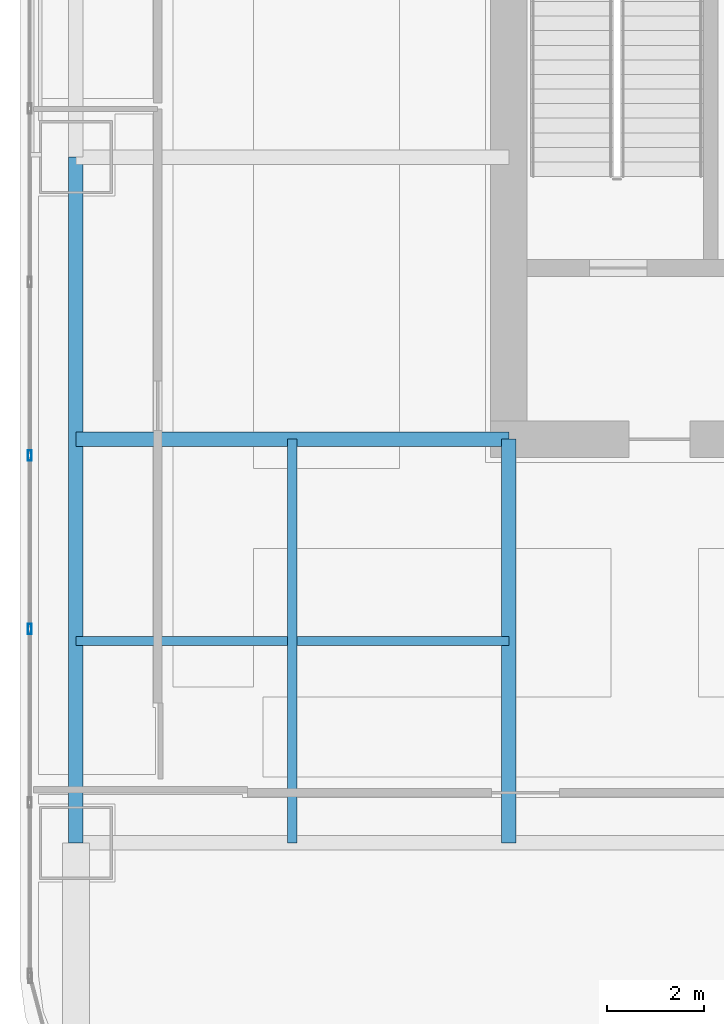
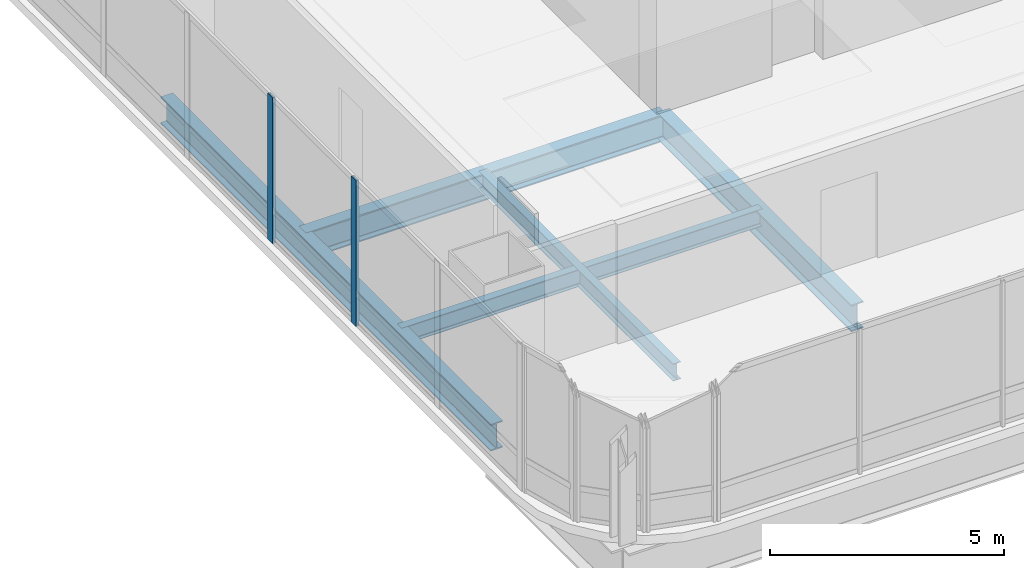
# One storey, part 3 of 35: 5 beams, 2 members, 1 element without a shape of its own.
"""IFC4 building model written with IfcOpenShell, lengths in metres."""

import ifcopenshell
import ifcopenshell.guid

model = None  # the IFC model being written
_history = None  # IfcOwnerHistory: only IFC2X3 demands one
_inside = {}  # id of a spatial element -> (the spatial element, [elements in it])
_under = {}  # id of a project, library or spatial element -> (it, [spatial elements below it])
_declared = {}  # id of a project -> (the project, [libraries it declares])
_typed = {}  # id of a type object -> (the type object, [elements of that type])
_made_of = {}  # id of a material, layer set ... -> (it, [elements and type objects made of it])


def new_model(schema):
    """Start an empty IFC model of exactly this schema.

    Asked for "IFC4X3", IfcOpenShell would pick the latest addendum, in which some entities
    have other attributes; the version numbers below select the first issue.
    IFC2X3 requires an IfcOwnerHistory on every rooted entity: one is made here for all.
    """
    global model, _history
    if schema == "IFC4X3":
        model = ifcopenshell.file(schema_version=(4, 3, 0, 0))
    else:
        model = ifcopenshell.file(schema=schema)
    _inside.clear()
    _under.clear()
    _declared.clear()
    _typed.clear()
    _made_of.clear()
    _history = None
    if model.schema == "IFC2X3":
        org = make("IfcOrganization", Name="unknown")
        user = make(
            "IfcPersonAndOrganization",
            ThePerson=make("IfcPerson", FamilyName="unknown"),
            TheOrganization=org,
        )
        app = make(
            "IfcApplication",
            ApplicationDeveloper=org,
            Version="unknown",
            ApplicationFullName="unknown",
            ApplicationIdentifier="unknown",
        )
        _history = make(
            "IfcOwnerHistory",
            OwningUser=user,
            OwningApplication=app,
            ChangeAction="ADDED",
            CreationDate=0,
        )
    return model


def make(cls, **values):
    """One entity of the class cls with the attributes given. An attribute that is None is left unset."""
    return model.create_entity(
        cls, **{name: value for name, value in values.items() if value is not None}
    )


def rooted(cls, **values):
    """An entity with a GlobalId (a new one), such as an element, a storey or a relation."""
    return make(cls, GlobalId=ifcopenshell.guid.new(), OwnerHistory=_history, **values)


def si_unit(unit_type, name, prefix=None):
    """IfcSIUnit, for example si_unit("LENGTHUNIT", "METRE", prefix="MILLI")."""
    return make("IfcSIUnit", UnitType=unit_type, Prefix=prefix, Name=name)


def assignment(units):
    """IfcUnitAssignment: the units of a project."""
    return None if units is None else make("IfcUnitAssignment", Units=units)


def point(xyz):
    """IfcCartesianPoint."""
    return None if xyz is None else make("IfcCartesianPoint", Coordinates=xyz)


def direction(xyz):
    """IfcDirection."""
    return None if xyz is None else make("IfcDirection", DirectionRatios=xyz)


def frame(location, z_axis=None, x_axis=None):
    """IfcAxis2Placement3D, a coordinate frame: its origin and axes. An axis left out is left unset."""
    return make(
        "IfcAxis2Placement3D",
        Location=point(location),
        Axis=direction(z_axis),
        RefDirection=direction(x_axis),
    )


def frame_2d(location, x_axis=None):
    """IfcAxis2Placement2D, a coordinate frame in the plane: its origin and x axis."""
    return make(
        "IfcAxis2Placement2D", Location=point(location), RefDirection=direction(x_axis)
    )


def origin():
    """The frame at (0, 0, 0) with its axes left unset."""
    return frame((0.0, 0.0, 0.0))


def origin_2d():
    """The frame at (0, 0) in the plane with its x axis left unset."""
    return frame_2d((0.0, 0.0))


def place(relative_to, where):
    """IfcLocalPlacement: puts the frame where relative to a parent placement (None: the world)."""
    return make(
        "IfcLocalPlacement", PlacementRelTo=relative_to, RelativePlacement=where
    )


def context(
    kind, dimensions, precision=None, world=None, true_north=None, identifier=None
):
    """IfcGeometricRepresentationContext, for example the 3D "Model" context."""
    return make(
        "IfcGeometricRepresentationContext",
        ContextIdentifier=identifier,
        ContextType=kind,
        CoordinateSpaceDimension=dimensions,
        Precision=precision,
        WorldCoordinateSystem=world,
        TrueNorth=true_north,
    )


def subcontext(parent, identifier, kind, view, scale=None):
    """IfcGeometricRepresentationSubContext, for example "Body" below "Model"."""
    return make(
        "IfcGeometricRepresentationSubContext",
        ContextIdentifier=identifier,
        ContextType=kind,
        ParentContext=parent,
        TargetScale=scale,
        TargetView=view,
    )


def project(units=None, contexts=None):
    """IfcProject with its units and contexts."""
    return rooted(
        "IfcProject",
        Name="project",
        RepresentationContexts=contexts,
        UnitsInContext=assignment(units),
    )


def spatial(cls, under=None, at=None, **own):
    """A site, building, storey or space (cls), placed at a placement, below another one or the project."""
    s = rooted(cls, ObjectPlacement=at, **own)
    if under is not None:
        _under.setdefault(under.id(), (under, []))[1].append(s)
    return s


def profile(cls, at=None, kind="AREA", **sizes):
    """A parametric profile (cls). Its sizes go by their IFC names, for example OverallWidth=200.0."""
    return make(cls, ProfileType=kind, Position=at, **sizes)


def hollow_rectangle(**sizes):
    """IfcRectangleHollowProfileDef."""
    return profile("IfcRectangleHollowProfileDef", **sizes)


def i_section(**sizes):
    """IfcIShapeProfileDef."""
    return profile("IfcIShapeProfileDef", **sizes)


def extrude(swept, where, along, depth):
    """IfcExtrudedAreaSolid: the profile swept, set in the frame where, extruded along a direction by depth."""
    return make(
        "IfcExtrudedAreaSolid",
        SweptArea=swept,
        Position=where,
        ExtrudedDirection=direction(along),
        Depth=depth,
    )


def shape(context_of_items, identifier, shape_type, items):
    """IfcShapeRepresentation: the items that make up one representation, for example the "Body"."""
    return make(
        "IfcShapeRepresentation",
        ContextOfItems=context_of_items,
        RepresentationIdentifier=identifier,
        RepresentationType=shape_type,
        Items=items,
    )


def material(Name=None, Category=None):
    """IfcMaterial."""
    return make("IfcMaterial", Name=Name, Category=Category)


def material_profile(
    of_material, cross_section, Name=None, Category=None, Priority=None
):
    """IfcMaterialProfile: a cross section and its material."""
    return make(
        "IfcMaterialProfile",
        Name=Name,
        Material=of_material,
        Profile=cross_section,
        Priority=Priority,
        Category=Category,
    )


def profile_set(profiles, Name=None, composite=None):
    """IfcMaterialProfileSet."""
    return make(
        "IfcMaterialProfileSet",
        Name=Name,
        MaterialProfiles=profiles,
        CompositeProfile=composite,
    )


def made_of(thing, what):
    """Note that an element or type object is made of a material, layer set ...; save() writes the relation."""
    if what is not None:
        _made_of.setdefault(what.id(), (what, []))[1].append(thing)
    return thing


def type_object(cls, material=None, **own):
    """A type object (cls), such as IfcWallType, which elements share."""
    return made_of(rooted(cls, **own), material)


def element(
    cls,
    number,
    at=None,
    inside=None,
    cuts=None,
    type_object=None,
    material=None,
    context=None,
    identifier="Body",
    shape_type=None,
    held_by="IfcProductDefinitionShape",
    body=None,
    shapes=None,
    **own,
):
    """One element of the class cls, such as IfcWall. Its Tag is "e" and its number.

    at: its placement. inside: the storey or other place that contains it. cuts: it is an
    opening in that element (IfcRelVoidsElement). A single representation is given by context,
    identifier, shape_type and body (its items); several are given by shapes. held_by: the class
    of the entity that holds the representations. save() writes the other relations.
    """
    e = rooted(cls, Tag="e%d" % number, ObjectPlacement=at, **own)
    if body is not None:
        shapes = [shape(context, identifier, shape_type, body)]
    if shapes is not None:
        e.Representation = make(held_by, Representations=shapes)
    if inside is not None:
        _inside.setdefault(inside.id(), (inside, []))[1].append(e)
    if cuts is not None:
        rooted(
            "IfcRelVoidsElement", RelatingBuildingElement=cuts, RelatedOpeningElement=e
        )
    if type_object is not None:
        _typed.setdefault(type_object.id(), (type_object, []))[1].append(e)
    return made_of(e, material)


def aggregate(whole, parts):
    """IfcRelAggregates: a whole, such as a stair, and the parts it consists of."""
    return rooted("IfcRelAggregates", RelatingObject=whole, RelatedObjects=parts)


def save(model, path):
    """Write the relations noted so far, then the file.

    IfcRelAggregates (storeys below a building ...), IfcRelContainedInSpatialStructure (elements
    in a storey), IfcRelDefinesByType, IfcRelAssociatesMaterial and IfcRelDeclares: one each for
    every whole, place, type object, material and project.
    """
    for whole, parts in _under.values():
        aggregate(whole, parts)
    for where, things in _inside.values():
        rooted(
            "IfcRelContainedInSpatialStructure",
            RelatedElements=things,
            RelatingStructure=where,
        )
    for kind, things in _typed.values():
        rooted("IfcRelDefinesByType", RelatedObjects=things, RelatingType=kind)
    for what, things in _made_of.values():
        rooted("IfcRelAssociatesMaterial", RelatedObjects=things, RelatingMaterial=what)
    for by, libraries in _declared.values():
        rooted("IfcRelDeclares", RelatingContext=by, RelatedDefinitions=libraries)
    model.write(path)


model = new_model("IFC4")

# Units and contexts
model_context = context("Model", 3, precision=1e-05, world=origin(), true_north=direction((0.0, 1.0)))
body_context = subcontext(model_context, "Body", "Model", "MODEL_VIEW")
ifc_project = project(units=[si_unit("LENGTHUNIT", "METRE"), si_unit("AREAUNIT", "SQUARE_METRE"), si_unit("VOLUMEUNIT", "CUBIC_METRE"), si_unit("PLANEANGLEUNIT", "RADIAN"), si_unit("MASSUNIT", "GRAM", prefix="KILO")], contexts=[model_context])

# Site, building, storey
site_placement = place(None, origin())
site = spatial("IfcSite", under=ifc_project, at=site_placement, CompositionType="ELEMENT")
building_placement = place(site_placement, origin())
building = spatial("IfcBuilding", under=site, at=building_placement, Name="Punatoya Terracotta Tower", CompositionType="ELEMENT")
storey_placement = place(building_placement, frame((0.0, 0.0, 72.75)))
storey = spatial("IfcBuildingStorey", under=building, at=storey_placement, Name="L16", CompositionType="ELEMENT", Elevation=72.75)

# Beams
ifc_material_1 = material(Name="Steel S355", Category="steel")
ifc_material_profile_1 = material_profile(ifc_material_1, i_section(OverallWidth=0.300048828125, OverallDepth=0.699951171875, WebThickness=0.01708984375, FlangeThickness=0.031982421875, FilletRadius=0.01806640625, at=origin_2d()))
ifc_profile_set_1 = profile_set([ifc_material_profile_1], Name="Steel S355")
beam_type_1 = type_object("IfcBeamType", Name="BM-PRI-700", PredefinedType="BEAM", material=ifc_profile_set_1)
beam_1_placement = place(storey_placement, frame((-19.10009765625, -17.5, -0.590087890625), z_axis=(0.0, 1.0, 0.0), x_axis=(-1.0, 0.0, 0.0)))
element("IfcBeam", 1, at=beam_1_placement, inside=storey, type_object=beam_type_1, Name="BM-L16-RG-W1", PredefinedType="BEAM", context=body_context, shape_type="SweptSolid", body=[
    extrude(i_section(OverallWidth=0.300048828125, OverallDepth=0.699951171875, WebThickness=0.01708984375, FlangeThickness=0.031982421875, FilletRadius=0.01806640625, at=origin_2d()), origin(), (0.0, 0.0, 1.0), 14.10009765625),
])
beam_2_placement = place(storey_placement, frame((-19.10009765625, -9.199951171875, -0.590087890625), z_axis=(1.0, 0.0, 0.0), x_axis=(0.0, 1.0, 0.0)))
element("IfcBeam", 2, at=beam_2_placement, inside=storey, type_object=beam_type_1, Name="BM-L16-PR-WS", PredefinedType="BEAM", context=body_context, shape_type="SweptSolid", body=[
    extrude(i_section(OverallWidth=0.300048828125, OverallDepth=0.699951171875, WebThickness=0.01708984375, FlangeThickness=0.031982421875, FilletRadius=0.01806640625, at=origin_2d()), origin(), (0.0, 0.0, 1.0), 8.900146484375),
])
beam_3_placement = place(storey_placement, frame((-10.199951171875, -17.5, -0.590087890625), z_axis=(0.0, 1.0, 0.0), x_axis=(-1.0, 0.0, 0.0)))
element("IfcBeam", 3, at=beam_3_placement, inside=storey, type_object=beam_type_1, Name="BM-L16-PR-S1", PredefinedType="BEAM", context=body_context, shape_type="SweptSolid", body=[
    extrude(i_section(OverallWidth=0.300048828125, OverallDepth=0.699951171875, WebThickness=0.01708984375, FlangeThickness=0.031982421875, FilletRadius=0.01806640625, at=origin_2d()), origin(), (0.0, 0.0, 1.0), 8.300048828125),
])
ifc_material_profile_2 = material_profile(ifc_material_1, i_section(OverallWidth=0.18994140625, OverallDepth=0.449951171875, WebThickness=0.009521484375, FlangeThickness=0.0146484375, FilletRadius=0.01806640625, at=origin_2d()))
ifc_profile_set_2 = profile_set([ifc_material_profile_2], Name="Steel S355")
beam_type_2 = type_object("IfcBeamType", Name="BM-SEC-450", PredefinedType="JOIST", material=ifc_profile_set_2)
beam_4_placement = place(storey_placement, frame((-19.10009765625, -13.35009765625, -0.465087890625), z_axis=(1.0, 0.0, 0.0), x_axis=(0.0, 1.0, 0.0)))
element("IfcBeam", 4, at=beam_4_placement, inside=storey, type_object=beam_type_2, Name="BM-L16-SJS-1", PredefinedType="JOIST", context=body_context, shape_type="SweptSolid", body=[
    extrude(i_section(OverallWidth=0.18994140625, OverallDepth=0.449951171875, WebThickness=0.009521484375, FlangeThickness=0.0146484375, FilletRadius=0.01806640625, at=origin_2d()), origin(), (0.0, 0.0, 1.0), 8.900146484375),
])
beam_5_placement = place(storey_placement, frame((-14.64990234375, -17.5, -0.465087890625), z_axis=(0.0, 1.0, 0.0), x_axis=(-1.0, 0.0, 0.0)))
element("IfcBeam", 5, at=beam_5_placement, inside=storey, type_object=beam_type_2, Name="BM-L16-SJW-1", PredefinedType="JOIST", context=body_context, shape_type="SweptSolid", body=[
    extrude(i_section(OverallWidth=0.18994140625, OverallDepth=0.449951171875, WebThickness=0.009521484375, FlangeThickness=0.0146484375, FilletRadius=0.01806640625, at=origin_2d()), origin(), (0.0, 0.0, 1.0), 8.300048828125),
])

# Curtain wall, members
ifc_material_2 = material(Name="Aluminium 6063-T6 + Double Low-E Glass", Category="aluminium")
curtain_wall_type = type_object("IfcCurtainWallType", Name="CW-M1", PredefinedType="NOTDEFINED", material=ifc_material_2)
curtain_wall_placement = place(storey_placement, origin())
curtain_wall = element("IfcCurtainWall", 6, at=curtain_wall_placement, inside=storey, type_object=curtain_wall_type, Name="L16 Curtain Wall CW-L16-W13-1", PredefinedType="NOTDEFINED")
ifc_material_3 = material(Name="Aluminium 6063-T6", Category="aluminium")
ifc_material_profile_3 = material_profile(ifc_material_3, hollow_rectangle(XDim=0.074951171875, YDim=0.2099609375, WallThickness=0.00439453125, at=origin_2d()))
ifc_profile_set_3 = profile_set([ifc_material_profile_3], Name="Aluminium 6063-T6")
member_type = type_object("IfcMemberType", Name="CW-MUL-M1", PredefinedType="MULLION", material=ifc_profile_set_3)
member_1_placement = place(storey_placement, frame((-20.050048828125, -9.534912109375, 0.0), z_axis=(0.0, 0.0, 1.0), x_axis=(1.0, 0.0, 0.0)))
member_1 = element("IfcMember", 7, at=member_1_placement, type_object=member_type, Name="CW-L16-W13-1 Mullion 07", PredefinedType="MULLION", context=body_context, shape_type="SweptSolid", body=[
    extrude(hollow_rectangle(XDim=0.074951171875, YDim=0.2099609375, WallThickness=0.00439453125, at=origin_2d()), origin(), (0.0, 0.0, 1.0), 3.81005859375),
])
member_2_placement = place(storey_placement, frame((-20.050048828125, -13.10205078125, 0.0), z_axis=(0.0, 0.0, 1.0), x_axis=(1.0, 0.0, 0.0)))
member_2 = element("IfcMember", 8, at=member_2_placement, type_object=member_type, Name="CW-L16-W13-1 Mullion 08", PredefinedType="MULLION", context=body_context, shape_type="SweptSolid", body=[
    extrude(hollow_rectangle(XDim=0.074951171875, YDim=0.2099609375, WallThickness=0.00439453125, at=origin_2d()), origin(), (0.0, 0.0, 1.0), 3.81005859375),
])
aggregate(curtain_wall, [member_1, member_2])

save(model, "model.ifc")
